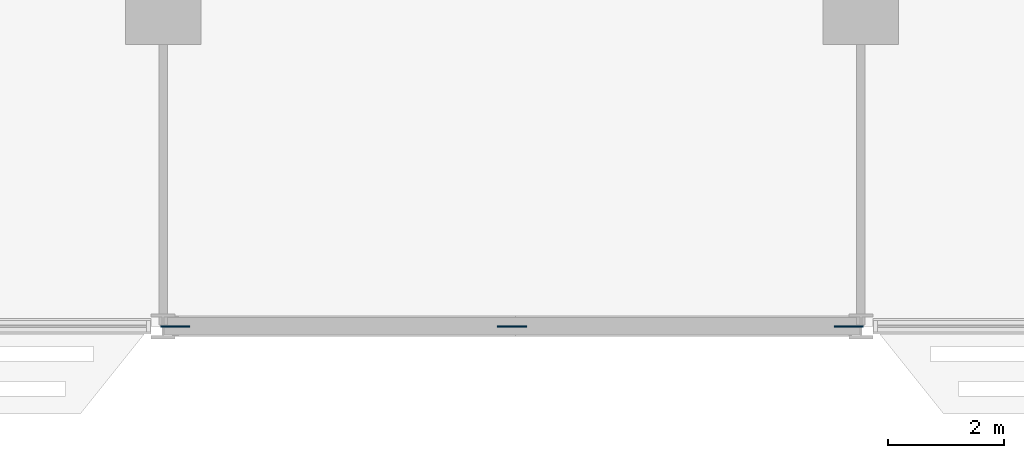
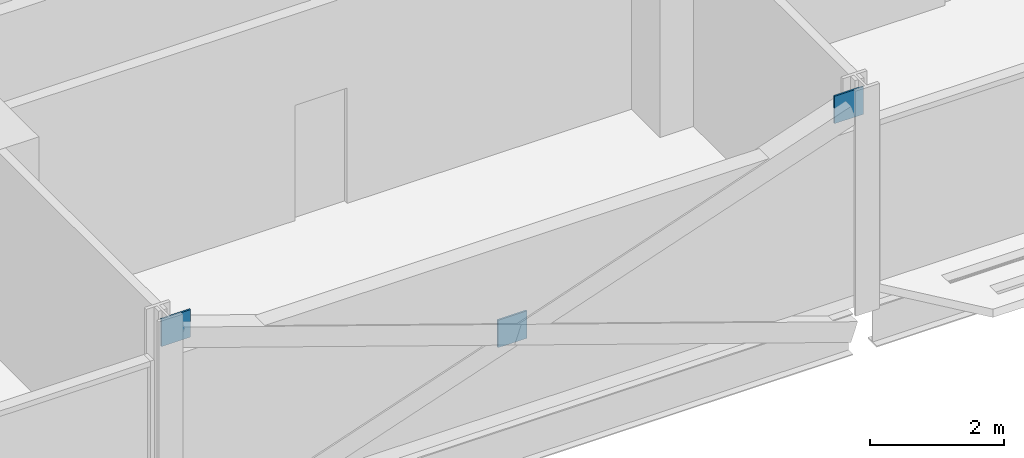
# One storey, part 20 of 28: 3 discrete accessories.
"""IFC4 building model written with IfcOpenShell, lengths in metres."""

from ifc_helpers import new_model, si_unit, direction, frame, origin, origin_2d, place, context, subcontext, project, spatial, rectangle, extrude, material, layer, layer_set, type_object, element, save


model = new_model("IFC4")

# Units and contexts
model_context = context("Model", 3, precision=1e-05, world=origin(), true_north=direction((0.0, 1.0)))
body_context = subcontext(model_context, "Body", "Model", "MODEL_VIEW")
ifc_project = project(units=[si_unit("LENGTHUNIT", "METRE"), si_unit("AREAUNIT", "SQUARE_METRE"), si_unit("VOLUMEUNIT", "CUBIC_METRE"), si_unit("PLANEANGLEUNIT", "RADIAN"), si_unit("MASSUNIT", "GRAM", prefix="KILO")], contexts=[model_context])

# Site, building, storey
site_placement = place(None, origin())
site = spatial("IfcSite", under=ifc_project, at=site_placement, CompositionType="ELEMENT")
building_placement = place(site_placement, origin())
building = spatial("IfcBuilding", under=site, at=building_placement, Name="Mahtab Terrace Research Tower", CompositionType="ELEMENT")
storey_placement = place(building_placement, frame((0.0, 0.0, 130.199951171875)))
storey = spatial("IfcBuildingStorey", under=building, at=storey_placement, Name="L30", CompositionType="ELEMENT", Elevation=130.199951171875)

# Discrete accessories
ifc_material = material(Name="Steel ASTM A992 Gr 50", Category="steel")
ifc_layer = layer(ifc_material, 0.030029296875)
ifc_layer_set = layer_set([ifc_layer], Name="Gusset plate 500x500x30")
discrete_accessory_type = type_object("IfcDiscreteAccessoryType", Name="Gusset plate 500x500x30", PredefinedType="USERDEFINED", material=ifc_layer_set)
for number, where, z_axis, x_axis, name in (
    (1, (-5.794189453125, -17.0, 3.131591796875), (0.0, 0.0, 1.0), (1.0, 0.0, 0.0), "Gusset plate"),
    (2, (0.0, -17.0, 1.08154296875), (0.0, 0.0, 1.0), (1.0, 0.0, 0.0), "Gusset plate"),
    (3, (5.794189453125, -17.0, 3.131591796875), (0.0, 0.0, 1.0), (1.0, 0.0, 0.0), "Gusset plate"),
):
    element("IfcDiscreteAccessory", number, at=place(storey_placement, frame(where, z_axis=z_axis, x_axis=x_axis)), inside=storey, type_object=discrete_accessory_type, Name=name, ObjectType="GUSSET PLATE", PredefinedType="USERDEFINED", context=body_context, shape_type="SweptSolid", body=[
        extrude(rectangle(XDim=0.5, YDim=0.030029296875, at=origin_2d()), origin(), (0.0, 0.0, 1.0), 0.5),
    ])

save(model, "model.ifc")
